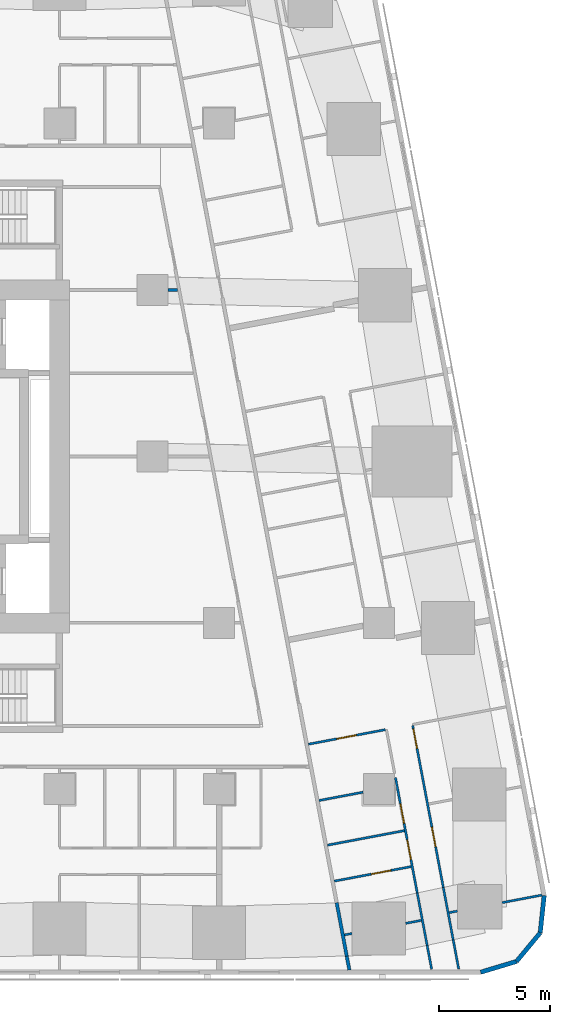
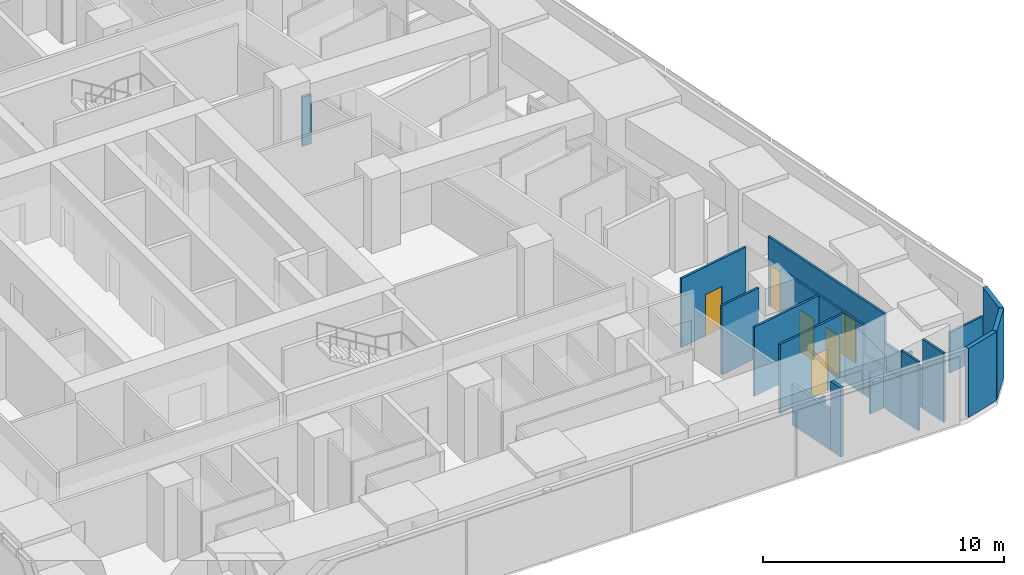
# One storey, part 10 of 17: 20 walls, 6 doors, 6 openings.
"""IFC4 building model written with IfcOpenShell, lengths in metres."""

import ifcopenshell
import ifcopenshell.guid

model = None  # the IFC model being written
_history = None  # IfcOwnerHistory: only IFC2X3 demands one
_inside = {}  # id of a spatial element -> (the spatial element, [elements in it])
_under = {}  # id of a project, library or spatial element -> (it, [spatial elements below it])
_declared = {}  # id of a project -> (the project, [libraries it declares])
_typed = {}  # id of a type object -> (the type object, [elements of that type])
_made_of = {}  # id of a material, layer set ... -> (it, [elements and type objects made of it])


def new_model(schema):
    """Start an empty IFC model of exactly this schema.

    Asked for "IFC4X3", IfcOpenShell would pick the latest addendum, in which some entities
    have other attributes; the version numbers below select the first issue.
    IFC2X3 requires an IfcOwnerHistory on every rooted entity: one is made here for all.
    """
    global model, _history
    if schema == "IFC4X3":
        model = ifcopenshell.file(schema_version=(4, 3, 0, 0))
    else:
        model = ifcopenshell.file(schema=schema)
    _inside.clear()
    _under.clear()
    _declared.clear()
    _typed.clear()
    _made_of.clear()
    _history = None
    if model.schema == "IFC2X3":
        org = make("IfcOrganization", Name="unknown")
        user = make(
            "IfcPersonAndOrganization",
            ThePerson=make("IfcPerson", FamilyName="unknown"),
            TheOrganization=org,
        )
        app = make(
            "IfcApplication",
            ApplicationDeveloper=org,
            Version="unknown",
            ApplicationFullName="unknown",
            ApplicationIdentifier="unknown",
        )
        _history = make(
            "IfcOwnerHistory",
            OwningUser=user,
            OwningApplication=app,
            ChangeAction="ADDED",
            CreationDate=0,
        )
    return model


def make(cls, **values):
    """One entity of the class cls with the attributes given. An attribute that is None is left unset."""
    return model.create_entity(
        cls, **{name: value for name, value in values.items() if value is not None}
    )


def rooted(cls, **values):
    """An entity with a GlobalId (a new one), such as an element, a storey or a relation."""
    return make(cls, GlobalId=ifcopenshell.guid.new(), OwnerHistory=_history, **values)


def si_unit(unit_type, name, prefix=None):
    """IfcSIUnit, for example si_unit("LENGTHUNIT", "METRE", prefix="MILLI")."""
    return make("IfcSIUnit", UnitType=unit_type, Prefix=prefix, Name=name)


def assignment(units):
    """IfcUnitAssignment: the units of a project."""
    return None if units is None else make("IfcUnitAssignment", Units=units)


def point(xyz):
    """IfcCartesianPoint."""
    return None if xyz is None else make("IfcCartesianPoint", Coordinates=xyz)


def direction(xyz):
    """IfcDirection."""
    return None if xyz is None else make("IfcDirection", DirectionRatios=xyz)


def frame(location, z_axis=None, x_axis=None):
    """IfcAxis2Placement3D, a coordinate frame: its origin and axes. An axis left out is left unset."""
    return make(
        "IfcAxis2Placement3D",
        Location=point(location),
        Axis=direction(z_axis),
        RefDirection=direction(x_axis),
    )


def frame_2d(location, x_axis=None):
    """IfcAxis2Placement2D, a coordinate frame in the plane: its origin and x axis."""
    return make(
        "IfcAxis2Placement2D", Location=point(location), RefDirection=direction(x_axis)
    )


def origin():
    """The frame at (0, 0, 0) with its axes left unset."""
    return frame((0.0, 0.0, 0.0))


def place(relative_to, where):
    """IfcLocalPlacement: puts the frame where relative to a parent placement (None: the world)."""
    return make(
        "IfcLocalPlacement", PlacementRelTo=relative_to, RelativePlacement=where
    )


def context(
    kind, dimensions, precision=None, world=None, true_north=None, identifier=None
):
    """IfcGeometricRepresentationContext, for example the 3D "Model" context."""
    return make(
        "IfcGeometricRepresentationContext",
        ContextIdentifier=identifier,
        ContextType=kind,
        CoordinateSpaceDimension=dimensions,
        Precision=precision,
        WorldCoordinateSystem=world,
        TrueNorth=true_north,
    )


def subcontext(parent, identifier, kind, view, scale=None):
    """IfcGeometricRepresentationSubContext, for example "Body" below "Model"."""
    return make(
        "IfcGeometricRepresentationSubContext",
        ContextIdentifier=identifier,
        ContextType=kind,
        ParentContext=parent,
        TargetScale=scale,
        TargetView=view,
    )


def project(units=None, contexts=None):
    """IfcProject with its units and contexts."""
    return rooted(
        "IfcProject",
        Name="project",
        RepresentationContexts=contexts,
        UnitsInContext=assignment(units),
    )


def spatial(cls, under=None, at=None, **own):
    """A site, building, storey or space (cls), placed at a placement, below another one or the project."""
    s = rooted(cls, ObjectPlacement=at, **own)
    if under is not None:
        _under.setdefault(under.id(), (under, []))[1].append(s)
    return s


def profile(cls, at=None, kind="AREA", **sizes):
    """A parametric profile (cls). Its sizes go by their IFC names, for example OverallWidth=200.0."""
    return make(cls, ProfileType=kind, Position=at, **sizes)


def rectangle(**sizes):
    """IfcRectangleProfileDef."""
    return profile("IfcRectangleProfileDef", **sizes)


def extrude(swept, where, along, depth):
    """IfcExtrudedAreaSolid: the profile swept, set in the frame where, extruded along a direction by depth."""
    return make(
        "IfcExtrudedAreaSolid",
        SweptArea=swept,
        Position=where,
        ExtrudedDirection=direction(along),
        Depth=depth,
    )


def shape(context_of_items, identifier, shape_type, items):
    """IfcShapeRepresentation: the items that make up one representation, for example the "Body"."""
    return make(
        "IfcShapeRepresentation",
        ContextOfItems=context_of_items,
        RepresentationIdentifier=identifier,
        RepresentationType=shape_type,
        Items=items,
    )


def material(Name=None, Category=None):
    """IfcMaterial."""
    return make("IfcMaterial", Name=Name, Category=Category)


def layer(
    of_material, thickness, ventilated=None, Name=None, Category=None, Priority=None
):
    """IfcMaterialLayer: one layer of a wall or slab, of a material (None: an air gap)."""
    return make(
        "IfcMaterialLayer",
        Material=of_material,
        LayerThickness=thickness,
        IsVentilated=ventilated,
        Name=Name,
        Category=Category,
        Priority=Priority,
    )


def layer_set(layers, Name=None):
    """IfcMaterialLayerSet."""
    return make("IfcMaterialLayerSet", MaterialLayers=layers, LayerSetName=Name)


def made_of(thing, what):
    """Note that an element or type object is made of a material, layer set ...; save() writes the relation."""
    if what is not None:
        _made_of.setdefault(what.id(), (what, []))[1].append(thing)
    return thing


def type_object(cls, material=None, **own):
    """A type object (cls), such as IfcWallType, which elements share."""
    return made_of(rooted(cls, **own), material)


def element(
    cls,
    number,
    at=None,
    inside=None,
    cuts=None,
    type_object=None,
    material=None,
    context=None,
    identifier="Body",
    shape_type=None,
    held_by="IfcProductDefinitionShape",
    body=None,
    shapes=None,
    **own,
):
    """One element of the class cls, such as IfcWall. Its Tag is "e" and its number.

    at: its placement. inside: the storey or other place that contains it. cuts: it is an
    opening in that element (IfcRelVoidsElement). A single representation is given by context,
    identifier, shape_type and body (its items); several are given by shapes. held_by: the class
    of the entity that holds the representations. save() writes the other relations.
    """
    e = rooted(cls, Tag="e%d" % number, ObjectPlacement=at, **own)
    if body is not None:
        shapes = [shape(context, identifier, shape_type, body)]
    if shapes is not None:
        e.Representation = make(held_by, Representations=shapes)
    if inside is not None:
        _inside.setdefault(inside.id(), (inside, []))[1].append(e)
    if cuts is not None:
        rooted(
            "IfcRelVoidsElement", RelatingBuildingElement=cuts, RelatedOpeningElement=e
        )
    if type_object is not None:
        _typed.setdefault(type_object.id(), (type_object, []))[1].append(e)
    return made_of(e, material)


def fill(opening, filler):
    """IfcRelFillsElement: the door or window that sits in an opening."""
    return rooted(
        "IfcRelFillsElement",
        RelatingOpeningElement=opening,
        RelatedBuildingElement=filler,
    )


def aggregate(whole, parts):
    """IfcRelAggregates: a whole, such as a stair, and the parts it consists of."""
    return rooted("IfcRelAggregates", RelatingObject=whole, RelatedObjects=parts)


def save(model, path):
    """Write the relations noted so far, then the file.

    IfcRelAggregates (storeys below a building ...), IfcRelContainedInSpatialStructure (elements
    in a storey), IfcRelDefinesByType, IfcRelAssociatesMaterial and IfcRelDeclares: one each for
    every whole, place, type object, material and project.
    """
    for whole, parts in _under.values():
        aggregate(whole, parts)
    for where, things in _inside.values():
        rooted(
            "IfcRelContainedInSpatialStructure",
            RelatedElements=things,
            RelatingStructure=where,
        )
    for kind, things in _typed.values():
        rooted("IfcRelDefinesByType", RelatedObjects=things, RelatingType=kind)
    for what, things in _made_of.values():
        rooted("IfcRelAssociatesMaterial", RelatedObjects=things, RelatingMaterial=what)
    for by, libraries in _declared.values():
        rooted("IfcRelDeclares", RelatingContext=by, RelatedDefinitions=libraries)
    model.write(path)


model = new_model("IFC4")

# Units and contexts
model_context = context("Model", 3, precision=1e-05, world=origin(), true_north=direction((0.0, 1.0)))
body_context = subcontext(model_context, "Body", "Model", "MODEL_VIEW")
ifc_project = project(units=[si_unit("LENGTHUNIT", "METRE"), si_unit("AREAUNIT", "SQUARE_METRE"), si_unit("VOLUMEUNIT", "CUBIC_METRE"), si_unit("PLANEANGLEUNIT", "RADIAN"), si_unit("MASSUNIT", "GRAM", prefix="KILO")], contexts=[model_context])

# Site, building, storey
site_placement = place(None, origin())
site = spatial("IfcSite", under=ifc_project, at=site_placement, CompositionType="ELEMENT")
building_placement = place(site_placement, origin())
building = spatial("IfcBuilding", under=site, at=building_placement, Name="Sheger Commons Tower", CompositionType="ELEMENT")
storey_placement = place(building_placement, frame((0.0, 0.0, 208.699951171875)))
storey = spatial("IfcBuildingStorey", under=building, at=storey_placement, Name="L53", CompositionType="ELEMENT", Elevation=208.699951171875)

# Walls
ifc_material_1 = material(Name="Hollow concrete block masonry, skimmed both sides", Category="masonry")
ifc_layer_1 = layer(ifc_material_1, 0.14990234375)
ifc_layer_set_1 = layer_set([ifc_layer_1], Name="CORRIDOR WALL 150")
wall_type_1 = type_object("IfcWallType", Name="CORRIDOR WALL 150", PredefinedType="SOLIDWALL", material=ifc_layer_set_1)
wall_1_placement = place(storey_placement, frame((41.299072265625, 2.385009765625, 0.0), z_axis=(0.0, 0.0, 1.0), x_axis=(0.18529731833, -0.982682504077, 0.0)))
element("IfcWall", 1, at=wall_1_placement, inside=storey, type_object=wall_type_1, Name="Corridor wall L53", PredefinedType="SOLIDWALL", context=body_context, shape_type="SweptSolid", body=[
    extrude(rectangle(XDim=2.45458984375, YDim=0.14990234375, at=frame_2d((1.227294921875, 0.0))), origin(), (0.0, 0.0, 1.0), 2.050048828125),
])
wall_2_placement = place(storey_placement, frame((41.75390625, -0.027099609375, 0.0), z_axis=(0.0, 0.0, 1.0), x_axis=(0.186404157015, -0.982473149886, 0.0)))
element("IfcWall", 2, at=wall_2_placement, inside=storey, type_object=wall_type_1, Name="Corridor wall L53", PredefinedType="SOLIDWALL", context=body_context, shape_type="SweptSolid", body=[
    extrude(rectangle(XDim=0.634033203125, YDim=0.14990234375, at=frame_2d((0.31689453125, 0.0))), origin(), (0.0, 0.0, 1.0), 3.5),
])
ifc_material_2 = material(Name="Rendered concrete block masonry, dark grey", Category="masonry")
ifc_layer_2 = layer(ifc_material_2, 0.199951171875)
ifc_layer_set_2 = layer_set([ifc_layer_2], Name="FACADE WALL 200")
wall_type_2 = type_object("IfcWallType", Name="FACADE WALL 200", PredefinedType="SOLIDWALL", material=ifc_layer_set_2)
wall_3_placement = place(storey_placement, frame((47.791015625, -0.75, 0.0), z_axis=(0.0, 0.0, 1.0), x_axis=(0.957455232626, 0.288581838509, 0.0)))
element("IfcWall", 3, at=wall_3_placement, inside=storey, type_object=wall_type_2, Name="Facade wall L53", PredefinedType="SOLIDWALL", context=body_context, shape_type="SweptSolid", body=[
    extrude(rectangle(XDim=1.687744140625, YDim=0.199951171875, at=frame_2d((0.84375, 0.0))), origin(), (0.0, 0.0, 1.0), 3.5),
])
wall_4_placement = place(storey_placement, frame((49.406982421875, -0.262939453125, 0.0), z_axis=(0.0, 0.0, 1.0), x_axis=(0.638042593423, 0.770001070764, 0.0)))
element("IfcWall", 4, at=wall_4_placement, inside=storey, type_object=wall_type_2, Name="Facade wall L53", PredefinedType="SOLIDWALL", context=body_context, shape_type="SweptSolid", body=[
    extrude(rectangle(XDim=1.672607421875, YDim=0.199951171875, at=frame_2d((0.83642578125, 0.0))), origin(), (0.0, 0.0, 1.0), 3.5),
])
wall_5_placement = place(storey_placement, frame((50.47412109375, 1.02490234375, 0.0), z_axis=(0.0, 0.0, 1.0), x_axis=(0.106047815515, 0.994361031429, 0.0)))
element("IfcWall", 5, at=wall_5_placement, inside=storey, type_object=wall_type_2, Name="Facade wall L53", PredefinedType="SOLIDWALL", context=body_context, shape_type="SweptSolid", body=[
    extrude(rectangle(XDim=1.6875, YDim=0.199951171875, at=frame_2d((0.84375, 0.0))), origin(), (0.0, 0.0, 1.0), 3.5),
])

# Wall, openings, doors
ifc_material_3 = material(Name="Gypsum board on steel studs", Category="steel")
ifc_layer_3 = layer(ifc_material_3, 0.10009765625)
ifc_layer_set_3 = layer_set([ifc_layer_3], Name="PARTITION 100")
wall_type_3 = type_object("IfcWallType", Name="PARTITION 100", PredefinedType="PARTITIONING", material=ifc_layer_set_3)
wall_6_placement = place(storey_placement, frame((44.72705078125, 10.365966796875, 0.0), z_axis=(0.0, 0.0, 1.0), x_axis=(0.185678775129, -0.982610498858, 0.0)))
wall_6 = element("IfcWall", 6, at=wall_6_placement, inside=storey, type_object=wall_type_3, Name="Partition L53", PredefinedType="PARTITIONING", context=body_context, shape_type="SweptSolid", body=[
    extrude(rectangle(XDim=7.421142578125, YDim=0.10009765625, at=frame_2d((3.71044921875, 0.0))), origin(), (0.0, 0.0, 1.0), 3.5),
])
opening_1_placement = place(wall_6_placement, frame((0.15087890625, 0.0, 0.0)))
opening_1 = element("IfcOpeningElement", 7, at=opening_1_placement, cuts=wall_6, Name="Opening D2", PredefinedType="OPENING", context=body_context, shape_type="SweptSolid", body=[
    extrude(rectangle(XDim=0.89990234375, YDim=2.10009765625, at=frame_2d((0.449951171875, 1.050048828125))), frame((0.0, 0.06005859375, 0.0), z_axis=(0.0, -1.0, 0.0), x_axis=(1.0, 0.0, 0.0)), (0.0, 0.0, 1.0), 0.1201171875),
])
opening_2_placement = place(wall_6_placement, frame((4.64990234375, 0.0, 0.0)))
opening_2 = element("IfcOpeningElement", 8, at=opening_2_placement, cuts=wall_6, Name="Opening D2", PredefinedType="OPENING", context=body_context, shape_type="SweptSolid", body=[
    extrude(rectangle(XDim=0.89990234375, YDim=2.10009765625, at=frame_2d((0.449951171875, 1.050048828125))), frame((0.0, 0.06005859375, 0.0), z_axis=(0.0, -1.0, 0.0), x_axis=(1.0, 0.0, 0.0)), (0.0, 0.0, 1.0), 0.1201171875),
])
ifc_material_4 = material(Name="Timber door set", Category="wood")
door_type = type_object("IfcDoorType", Name="INTERNAL DOOR 900x2100", OperationType="NOTDEFINED", PredefinedType="DOOR", material=ifc_material_4)
door_1_placement = place(opening_1_placement, origin())
door_1 = element("IfcDoor", 9, at=door_1_placement, inside=storey, type_object=door_type, Name="Main bedroom door", OperationType="SINGLE_SWING_LEFT", OverallHeight=2.10009765625, OverallWidth=0.89990234375, PredefinedType="DOOR", context=body_context, shape_type="SweptSolid", body=[
    extrude(rectangle(XDim=0.89990234375, YDim=2.10009765625, at=frame_2d((0.449951171875, 1.050048828125))), frame((0.0, 0.02490234375, 0.0), z_axis=(0.0, -1.0, 0.0), x_axis=(1.0, 0.0, 0.0)), (0.0, 0.0, 1.0), 0.050048828125),
])
fill(opening_1, door_1)
door_2_placement = place(opening_2_placement, origin())
door_2 = element("IfcDoor", 10, at=door_2_placement, inside=storey, type_object=door_type, Name="Bedroom 2 door", OperationType="SINGLE_SWING_LEFT", OverallHeight=2.10009765625, OverallWidth=0.89990234375, PredefinedType="DOOR", context=body_context, shape_type="SweptSolid", body=[
    extrude(rectangle(XDim=0.89990234375, YDim=2.10009765625, at=frame_2d((0.449951171875, 1.050048828125))), frame((0.0, 0.02490234375, 0.0), z_axis=(0.0, -1.0, 0.0), x_axis=(1.0, 0.0, 0.0)), (0.0, 0.0, 1.0), 0.050048828125),
])
fill(opening_2, door_2)

# Walls
wall_7_placement = place(storey_placement, frame((46.10498046875, 3.073974609375, 0.0), z_axis=(0.0, 0.0, 1.0), x_axis=(0.185631845838, -0.982619365681, 0.0)))
element("IfcWall", 11, at=wall_7_placement, inside=storey, type_object=wall_type_3, Name="Partition L53", PredefinedType="PARTITIONING", context=body_context, shape_type="SweptSolid", body=[
    extrude(rectangle(XDim=2.40283203125, YDim=0.10009765625, at=frame_2d((1.201416015625, 0.0))), origin(), (0.0, 0.0, 1.0), 2.050048828125),
])
wall_8_placement = place(storey_placement, frame((46.551025390625, 0.712890625, 0.0), z_axis=(0.0, 0.0, 1.0), x_axis=(0.185407859198, -0.982661653748, 0.0)))
element("IfcWall", 12, at=wall_8_placement, inside=storey, type_object=wall_type_3, Name="Partition L53", PredefinedType="PARTITIONING", context=body_context, shape_type="SweptSolid", body=[
    extrude(rectangle(XDim=1.343017578125, YDim=0.10009765625, at=frame_2d((0.67138671875, 0.0))), origin(), (0.0, 0.0, 1.0), 3.5),
])

# Wall, openings, doors
wall_9_placement = place(storey_placement, frame((43.948974609375, 8.02001953125, 0.0), z_axis=(0.0, 0.0, 1.0), x_axis=(0.185656792073, -0.982614652627, 0.0)))
wall_9 = element("IfcWall", 13, at=wall_9_placement, inside=storey, type_object=wall_type_3, Name="Partition L53", PredefinedType="PARTITIONING", context=body_context, shape_type="SweptSolid", body=[
    extrude(rectangle(XDim=5.2890625, YDim=0.10009765625, at=frame_2d((2.64453125, 0.0))), origin(), (0.0, 0.0, 1.0), 3.5),
])
opening_3_placement = place(wall_9_placement, frame((1.199951171875, 0.0, 0.0)))
opening_3 = element("IfcOpeningElement", 14, at=opening_3_placement, cuts=wall_9, Name="Opening D2", PredefinedType="OPENING", context=body_context, shape_type="SweptSolid", body=[
    extrude(rectangle(XDim=0.89990234375, YDim=2.10009765625, at=frame_2d((0.449951171875, 1.050048828125))), frame((0.0, 0.06005859375, 0.0), z_axis=(0.0, -1.0, 0.0), x_axis=(1.0, 0.0, 0.0)), (0.0, 0.0, 1.0), 0.1201171875),
])
opening_4_placement = place(wall_9_placement, frame((2.85498046875, 0.0, 0.0)))
opening_4 = element("IfcOpeningElement", 15, at=opening_4_placement, cuts=wall_9, Name="Opening D2", PredefinedType="OPENING", context=body_context, shape_type="SweptSolid", body=[
    extrude(rectangle(XDim=0.89990234375, YDim=2.10009765625, at=frame_2d((0.449951171875, 1.050048828125))), frame((0.0, 0.06005859375, 0.0), z_axis=(0.0, -1.0, 0.0), x_axis=(1.0, 0.0, 0.0)), (0.0, 0.0, 1.0), 0.1201171875),
])
door_3_placement = place(opening_3_placement, origin())
door_3 = element("IfcDoor", 16, at=door_3_placement, inside=storey, type_object=door_type, Name="Bathroom door", OperationType="SINGLE_SWING_LEFT", OverallHeight=2.10009765625, OverallWidth=0.89990234375, PredefinedType="DOOR", context=body_context, shape_type="SweptSolid", body=[
    extrude(rectangle(XDim=0.89990234375, YDim=2.10009765625, at=frame_2d((0.449951171875, 1.050048828125))), frame((0.0, 0.02490234375, 0.0), z_axis=(0.0, -1.0, 0.0), x_axis=(1.0, 0.0, 0.0)), (0.0, 0.0, 1.0), 0.050048828125),
])
fill(opening_3, door_3)
door_4_placement = place(opening_4_placement, origin())
door_4 = element("IfcDoor", 17, at=door_4_placement, inside=storey, type_object=door_type, Name="Store door", OperationType="SINGLE_SWING_LEFT", OverallHeight=2.10009765625, OverallWidth=0.89990234375, PredefinedType="DOOR", context=body_context, shape_type="SweptSolid", body=[
    extrude(rectangle(XDim=0.89990234375, YDim=2.10009765625, at=frame_2d((0.449951171875, 1.050048828125))), frame((0.0, 0.02490234375, 0.0), z_axis=(0.0, -1.0, 0.0), x_axis=(1.0, 0.0, 0.0)), (0.0, 0.0, 1.0), 0.050048828125),
])
fill(opening_4, door_4)

# Walls
wall_10_placement = place(storey_placement, frame((44.930908203125, 2.822998046875, 0.0), z_axis=(0.0, 0.0, 1.0), x_axis=(0.185631845838, -0.982619365681, 0.0)))
element("IfcWall", 18, at=wall_10_placement, inside=storey, type_object=wall_type_3, Name="Partition L53", PredefinedType="PARTITIONING", context=body_context, shape_type="SweptSolid", body=[
    extrude(rectangle(XDim=2.40283203125, YDim=0.10009765625, at=frame_2d((1.201416015625, 0.0))), origin(), (0.0, 0.0, 1.0), 2.050048828125),
])
wall_11_placement = place(storey_placement, frame((45.376953125, 0.4619140625, 0.0), z_axis=(0.0, 0.0, 1.0), x_axis=(0.185513480919, -0.982641719243, 0.0)))
element("IfcWall", 19, at=wall_11_placement, inside=storey, type_object=wall_type_3, Name="Partition L53", PredefinedType="PARTITIONING", context=body_context, shape_type="SweptSolid", body=[
    extrude(rectangle(XDim=1.094970703125, YDim=0.10009765625, at=frame_2d((0.54736328125, 0.0))), origin(), (0.0, 0.0, 1.0), 3.5),
])
wall_12_placement = place(storey_placement, frame((50.547119140625, 2.72607421875, 0.0), z_axis=(0.0, 0.0, 1.0), x_axis=(-0.982603988143, -0.185713226471, 0.0)))
element("IfcWall", 20, at=wall_12_placement, inside=storey, type_object=wall_type_3, Name="Partition L53", PredefinedType="PARTITIONING", context=body_context, shape_type="SweptSolid", body=[
    extrude(rectangle(XDim=1.82080078125, YDim=0.10009765625, at=frame_2d((0.910400390625, 0.0))), origin(), (0.0, 0.0, 1.0), 2.050048828125),
])
wall_13_placement = place(storey_placement, frame((46.738037109375, 2.006103515625, 0.0), z_axis=(0.0, 0.0, 1.0), x_axis=(-0.982820466874, -0.184564161994, 0.0)))
element("IfcWall", 21, at=wall_13_placement, inside=storey, type_object=wall_type_3, Name="Partition L53", PredefinedType="PARTITIONING", context=body_context, shape_type="SweptSolid", body=[
    extrude(rectangle(XDim=0.374267578125, YDim=0.10009765625, at=frame_2d((0.18701171875, 0.0))), origin(), (0.0, 0.0, 1.0), 2.050048828125),
])

# Wall, opening, door
wall_14_placement = place(storey_placement, frame((43.489990234375, 10.18310546875, 0.0), z_axis=(0.0, 0.0, 1.0), x_axis=(-0.982588017646, -0.185797706064, 0.0)))
wall_14 = element("IfcWall", 22, at=wall_14_placement, inside=storey, type_object=wall_type_3, Name="Partition L53", PredefinedType="PARTITIONING", context=body_context, shape_type="SweptSolid", body=[
    extrude(rectangle(XDim=3.525390625, YDim=0.10009765625, at=frame_2d((1.7626953125, 0.0))), origin(), (0.0, 0.0, 1.0), 3.5),
])
opening_5_placement = place(wall_14_placement, frame((1.324951171875, 0.0, 0.0)))
opening_5 = element("IfcOpeningElement", 23, at=opening_5_placement, cuts=wall_14, Name="Opening D2", PredefinedType="OPENING", context=body_context, shape_type="SweptSolid", body=[
    extrude(rectangle(XDim=0.89990234375, YDim=2.10009765625, at=frame_2d((0.449951171875, 1.050048828125))), frame((0.0, 0.06005859375, 0.0), z_axis=(0.0, -1.0, 0.0), x_axis=(1.0, 0.0, 0.0)), (0.0, 0.0, 1.0), 0.1201171875),
])
door_5_placement = place(opening_5_placement, origin())
door_5 = element("IfcDoor", 24, at=door_5_placement, inside=storey, type_object=door_type, Name="Store door", OperationType="SINGLE_SWING_LEFT", OverallHeight=2.10009765625, OverallWidth=0.89990234375, PredefinedType="DOOR", context=body_context, shape_type="SweptSolid", body=[
    extrude(rectangle(XDim=0.89990234375, YDim=2.10009765625, at=frame_2d((0.449951171875, 1.050048828125))), frame((0.0, 0.02490234375, 0.0), z_axis=(0.0, -1.0, 0.0), x_axis=(1.0, 0.0, 0.0)), (0.0, 0.0, 1.0), 0.050048828125),
])
fill(opening_5, door_5)

# Walls
wall_15_placement = place(storey_placement, frame((42.489990234375, 7.365966796875, 0.0), z_axis=(0.0, 0.0, 1.0), x_axis=(-0.982620917875, -0.185623629302, 0.0)))
element("IfcWall", 25, at=wall_15_placement, inside=storey, type_object=wall_type_3, Name="Partition L53", PredefinedType="PARTITIONING", context=body_context, shape_type="SweptSolid", body=[
    extrude(rectangle(XDim=2.020263671875, YDim=0.10009765625, at=frame_2d((1.01025390625, 0.0))), origin(), (0.0, 0.0, 1.0), 3.5),
])
wall_16_placement = place(storey_placement, frame((45.114013671875, 1.5869140625, 0.0), z_axis=(0.0, 0.0, 1.0), x_axis=(-0.982671022916, -0.185358195723, 0.0)))
element("IfcWall", 26, at=wall_16_placement, inside=storey, type_object=wall_type_3, Name="Partition L53", PredefinedType="PARTITIONING", context=body_context, shape_type="SweptSolid", body=[
    extrude(rectangle(XDim=0.716552734375, YDim=0.10009765625, at=frame_2d((0.3583984375, 0.0))), origin(), (0.0, 0.0, 1.0), 2.050048828125),
])
wall_17_placement = place(storey_placement, frame((41.989990234375, 0.99609375, 0.0), z_axis=(0.0, 0.0, 1.0), x_axis=(-0.982639822555, -0.185523527159, 0.0)))
element("IfcWall", 27, at=wall_17_placement, inside=storey, type_object=wall_type_3, Name="Partition L53", PredefinedType="PARTITIONING", context=body_context, shape_type="SweptSolid", body=[
    extrude(rectangle(XDim=0.34619140625, YDim=0.10009765625, at=frame_2d((0.173095703125, 0.0))), origin(), (0.0, 0.0, 1.0), 2.050048828125),
])
wall_18_placement = place(storey_placement, frame((44.35009765625, 5.631103515625, 0.0), z_axis=(0.0, 0.0, 1.0), x_axis=(-0.982638553676, -0.185530247748, 0.0)))
element("IfcWall", 28, at=wall_18_placement, inside=storey, type_object=wall_type_3, Name="Partition L53", PredefinedType="PARTITIONING", context=body_context, shape_type="SweptSolid", body=[
    extrude(rectangle(XDim=3.525390625, YDim=0.10009765625, at=frame_2d((1.7626953125, 0.0))), origin(), (0.0, 0.0, 1.0), 3.5),
])

# Wall, opening, door
wall_19_placement = place(storey_placement, frame((41.19189453125, 3.35595703125, 0.0), z_axis=(0.0, 0.0, 1.0), x_axis=(0.982588017646, 0.185797706064, 0.0)))
wall_19 = element("IfcWall", 29, at=wall_19_placement, inside=storey, type_object=wall_type_3, Name="Partition L53", PredefinedType="PARTITIONING", context=body_context, shape_type="SweptSolid", body=[
    extrude(rectangle(XDim=3.525390625, YDim=0.10009765625, at=frame_2d((1.7626953125, 0.0))), origin(), (0.0, 0.0, 1.0), 3.5),
])
opening_6_placement = place(wall_19_placement, frame((1.699951171875, 0.0, 0.0)))
opening_6 = element("IfcOpeningElement", 30, at=opening_6_placement, cuts=wall_19, Name="Opening D2", PredefinedType="OPENING", context=body_context, shape_type="SweptSolid", body=[
    extrude(rectangle(XDim=0.89990234375, YDim=2.10009765625, at=frame_2d((0.449951171875, 1.050048828125))), frame((0.0, 0.06005859375, 0.0), z_axis=(0.0, -1.0, 0.0), x_axis=(1.0, 0.0, 0.0)), (0.0, 0.0, 1.0), 0.1201171875),
])
door_6_placement = place(opening_6_placement, origin())
door_6 = element("IfcDoor", 31, at=door_6_placement, inside=storey, type_object=door_type, Name="Store door", OperationType="SINGLE_SWING_RIGHT", OverallHeight=2.10009765625, OverallWidth=0.89990234375, PredefinedType="DOOR", context=body_context, shape_type="SweptSolid", body=[
    extrude(rectangle(XDim=0.89990234375, YDim=2.10009765625, at=frame_2d((0.449951171875, 1.050048828125))), frame((0.0, 0.02490234375, 0.0), z_axis=(0.0, -1.0, 0.0), x_axis=(1.0, 0.0, 0.0)), (0.0, 0.0, 1.0), 0.050048828125),
])
fill(opening_6, door_6)

# Wall
ifc_material_5 = material(Name="Gypsum board on steel studs, two layers each side, fire rated", Category="steel")
ifc_layer_4 = layer(ifc_material_5, 0.125)
ifc_layer_set_4 = layer_set([ifc_layer_4], Name="SERVICE WALL 125")
wall_type_4 = type_object("IfcWallType", Name="SERVICE WALL 125", PredefinedType="PARTITIONING", material=ifc_layer_set_4)
wall_20_placement = place(storey_placement, frame((33.700927734375, 30.0, 0.0), z_axis=(0.0, 0.0, 1.0), x_axis=(1.0, 0.0, 0.0)))
element("IfcWall", 32, at=wall_20_placement, inside=storey, type_object=wall_type_4, Name="Service room wall L53", PredefinedType="PARTITIONING", context=body_context, shape_type="SweptSolid", body=[
    extrude(rectangle(XDim=0.424072265625, YDim=0.125, at=frame_2d((0.2119140625, 0.0))), origin(), (0.0, 0.0, 1.0), 2.5),
])

save(model, "model.ifc")
